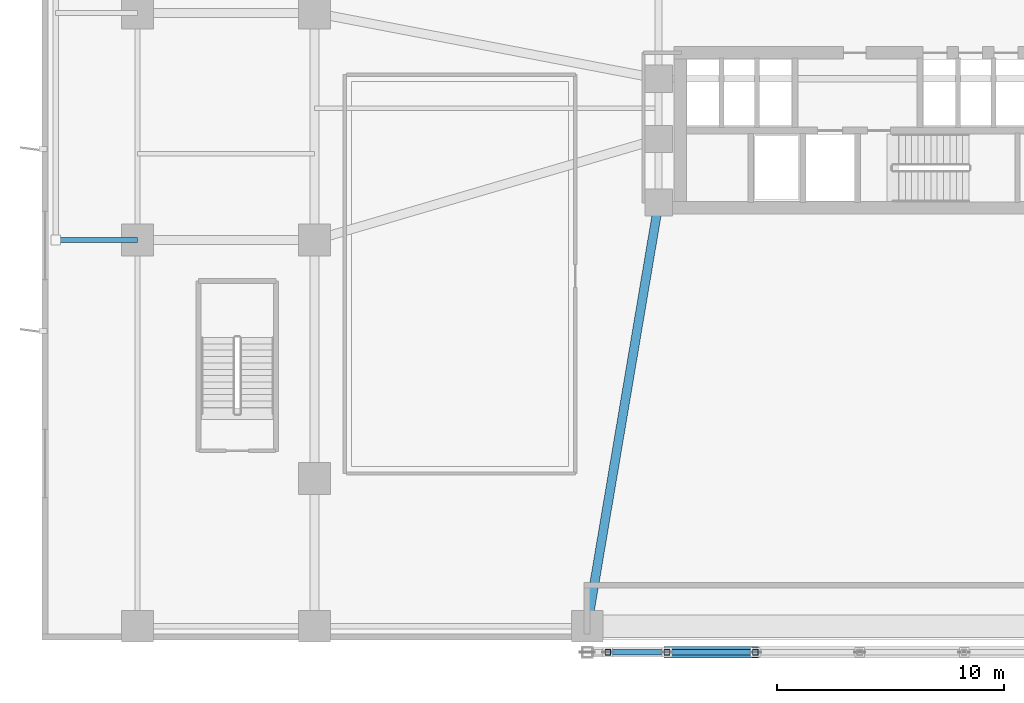
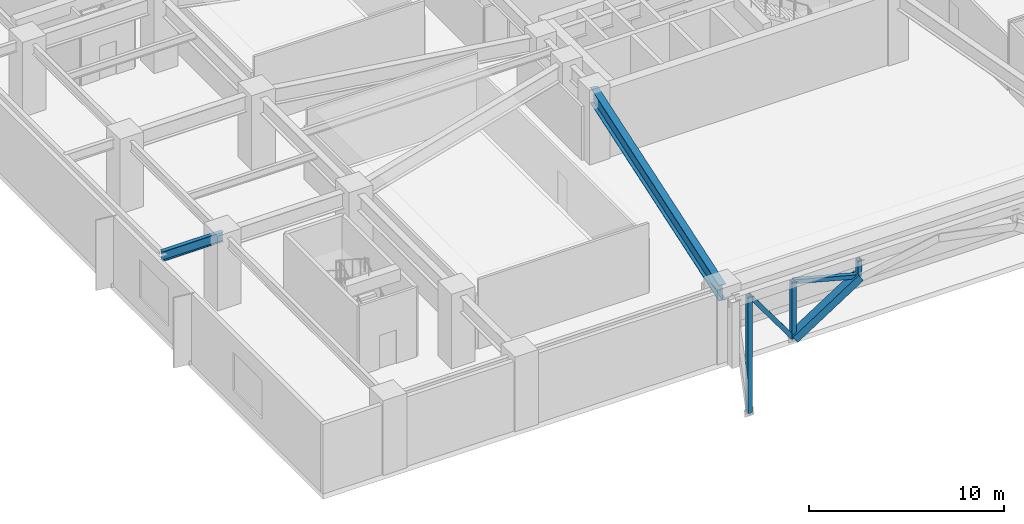
# One storey, part 3 of 21: 6 members, 2 beams.
"""IFC4 building model written with IfcOpenShell, lengths in metres."""

from ifc_helpers import new_model, si_unit, direction, frame, origin, origin_2d, place, context, subcontext, project, spatial, hollow_rectangle, i_section, extrude, material, material_profile, profile_set, type_object, element, save


model = new_model("IFC4")

# Units and contexts
model_context = context("Model", 3, precision=1e-05, world=origin(), true_north=direction((0.0, 1.0)))
body_context = subcontext(model_context, "Body", "Model", "MODEL_VIEW")
ifc_project = project(units=[si_unit("LENGTHUNIT", "METRE"), si_unit("AREAUNIT", "SQUARE_METRE"), si_unit("VOLUMEUNIT", "CUBIC_METRE"), si_unit("PLANEANGLEUNIT", "RADIAN"), si_unit("MASSUNIT", "GRAM", prefix="KILO")], contexts=[model_context])

# Site, building, storey
site_placement = place(None, origin())
site = spatial("IfcSite", under=ifc_project, at=site_placement, CompositionType="ELEMENT")
building_placement = place(site_placement, origin())
building = spatial("IfcBuilding", under=site, at=building_placement, Name="Solmarez Civic Tower", CompositionType="ELEMENT")
storey_placement = place(building_placement, frame((0.0, 0.0, 10.080078125)))
storey = spatial("IfcBuildingStorey", under=building, at=storey_placement, Name="L02", CompositionType="ELEMENT", Elevation=10.080078125)

# Beams
ifc_material = material(Name="Steel S355", Category="steel")
ifc_material_profile_1 = material_profile(ifc_material, i_section(OverallWidth=0.39892578125, OverallDepth=0.98193359375, WebThickness=0.0166015625, FlangeThickness=0.027099609375, at=origin_2d()), Name="W40X199")
ifc_profile_set_1 = profile_set([ifc_material_profile_1], Name="Steel S355")
beam_type_1 = type_object("IfcBeamType", Name="BM-PR-W40X199", PredefinedType="BEAM", material=ifc_profile_set_1)
beam_1_placement = place(storey_placement, frame((-12.0, -27.0, 3.868896484375), z_axis=(0.166537824737, 0.986035066786, 0.0), x_axis=(-0.986035066786, 0.166537824737, 0.0)))
element("IfcBeam", 1, at=beam_1_placement, inside=storey, type_object=beam_type_1, Name="L02 Primary Floor Beam BM-L02-PC03-HC12", PredefinedType="BEAM", context=body_context, shape_type="SweptSolid", body=[
    extrude(i_section(OverallWidth=0.39892578125, OverallDepth=0.98193359375, WebThickness=0.0166015625, FlangeThickness=0.027099609375, at=origin_2d()), origin(), (0.0, 0.0, 1.0), 18.9140625),
])
ifc_material_profile_2 = material_profile(ifc_material, i_section(OverallWidth=0.22900390625, OverallDepth=0.612060546875, WebThickness=0.011962890625, FlangeThickness=0.01953125, at=origin_2d()), Name="W24X84")
ifc_profile_set_2 = profile_set([ifc_material_profile_2], Name="Steel S355")
beam_type_2 = type_object("IfcBeamType", Name="BM-SP-W24X84", PredefinedType="SPANDREL", material=ifc_profile_set_2)
beam_2_placement = place(storey_placement, frame((-31.800048828125, -10.0, 4.053955078125), z_axis=(-1.0, 0.0, 0.0), x_axis=(0.0, -1.0, 0.0)))
element("IfcBeam", 2, at=beam_2_placement, inside=storey, type_object=beam_type_2, Name="L02 Perimeter Spandrel Beam BM-L02-TERRW-10", PredefinedType="SPANDREL", context=body_context, shape_type="SweptSolid", body=[
    extrude(i_section(OverallWidth=0.22900390625, OverallDepth=0.612060546875, WebThickness=0.011962890625, FlangeThickness=0.01953125, at=origin_2d()), origin(), (0.0, 0.0, 1.0), 3.599853515625),
])

# Members
ifc_material_profile_3 = material_profile(ifc_material, hollow_rectangle(XDim=0.5, YDim=0.5, WallThickness=0.02490234375, at=origin_2d()), Name="HSS500X500X25")
ifc_profile_set_3 = profile_set([ifc_material_profile_3], Name="Steel S355")
member_type_1 = type_object("IfcMemberType", Name="MEM-ARCH-HSS500", PredefinedType="USERDEFINED", material=ifc_profile_set_3)
member_1_placement = place(storey_placement, frame((-8.485107421875, -28.14990234375, 0.52197265625), z_axis=(0.839978354919, 0.0, 0.542619906812), x_axis=(0.0, 1.0, 0.0)))
element("IfcMember", 3, at=member_1_placement, inside=storey, type_object=member_type_1, Name="South Civic Arch Rib Segment 3", ObjectType="ARCH_RIB", PredefinedType="USERDEFINED", context=body_context, shape_type="SweptSolid", body=[
    extrude(hollow_rectangle(XDim=0.5, YDim=0.5, WallThickness=0.02490234375, at=origin_2d()), origin(), (0.0, 0.0, 1.0), 4.634765625),
])
ifc_material_profile_4 = material_profile(ifc_material, hollow_rectangle(XDim=0.25, YDim=0.25, WallThickness=0.011962890625, at=origin_2d()), Name="HSS250X250X12")
ifc_profile_set_4 = profile_set([ifc_material_profile_4], Name="Steel S355")
member_type_2 = type_object("IfcMemberType", Name="MEM-BRC-HSS250", PredefinedType="BRACE", material=ifc_profile_set_4)
member_2_placement = place(storey_placement, frame((-11.0869140625, -28.14990234375, -3.240966796875), z_axis=(0.0, 0.0, 1.0), x_axis=(1.0, 0.0, 0.0)))
element("IfcMember", 4, at=member_2_placement, inside=storey, type_object=member_type_2, Name="South Civic Arch Spandrel Web Post 1", PredefinedType="BRACE", context=body_context, shape_type="SweptSolid", body=[
    extrude(hollow_rectangle(XDim=0.25, YDim=0.25, WallThickness=0.011962890625, at=origin_2d()), origin(), (0.0, 0.0, 1.0), 7.310791015625),
])
member_3_placement = place(storey_placement, frame((-8.485107421875, -28.14990234375, 0.52197265625), z_axis=(0.0, 0.0, 1.0), x_axis=(1.0, 0.0, 0.0)))
element("IfcMember", 5, at=member_3_placement, inside=storey, type_object=member_type_2, Name="South Civic Arch Spandrel Web Post 2", PredefinedType="BRACE", context=body_context, shape_type="SweptSolid", body=[
    extrude(hollow_rectangle(XDim=0.25, YDim=0.25, WallThickness=0.011962890625, at=origin_2d()), origin(), (0.0, 0.0, 1.0), 3.5478515625),
])
member_4_placement = place(storey_placement, frame((-11.0869140625, -28.14990234375, 4.06982421875), z_axis=(0.591370880682, 0.0, -0.8063997033), x_axis=(0.0, 1.0, 0.0)))
element("IfcMember", 6, at=member_4_placement, inside=storey, type_object=member_type_2, Name="South Civic Arch Spandrel Diagonal 2", PredefinedType="BRACE", context=body_context, shape_type="SweptSolid", body=[
    extrude(hollow_rectangle(XDim=0.25, YDim=0.25, WallThickness=0.011962890625, at=origin_2d()), origin(), (0.0, 0.0, 1.0), 4.399658203125),
])
member_5_placement = place(storey_placement, frame((-4.592041015625, -28.14990234375, 3.036865234375), z_axis=(0.0, 0.0, 1.0), x_axis=(1.0, 0.0, 0.0)))
element("IfcMember", 7, at=member_5_placement, inside=storey, type_object=member_type_2, Name="South Civic Arch Spandrel Web Post 3", PredefinedType="BRACE", context=body_context, shape_type="SweptSolid", body=[
    extrude(hollow_rectangle(XDim=0.25, YDim=0.25, WallThickness=0.011962890625, at=origin_2d()), origin(), (0.0, 0.0, 1.0), 1.032958984375),
])
member_6_placement = place(storey_placement, frame((-8.485107421875, -28.14990234375, 4.06982421875), z_axis=(0.966555118765, 0.0, -0.256458968236), x_axis=(0.0, 1.0, 0.0)))
element("IfcMember", 8, at=member_6_placement, inside=storey, type_object=member_type_2, Name="South Civic Arch Spandrel Diagonal 3", PredefinedType="BRACE", context=body_context, shape_type="SweptSolid", body=[
    extrude(hollow_rectangle(XDim=0.25, YDim=0.25, WallThickness=0.011962890625, at=origin_2d()), origin(), (0.0, 0.0, 1.0), 4.02783203125),
])

save(model, "model.ifc")
